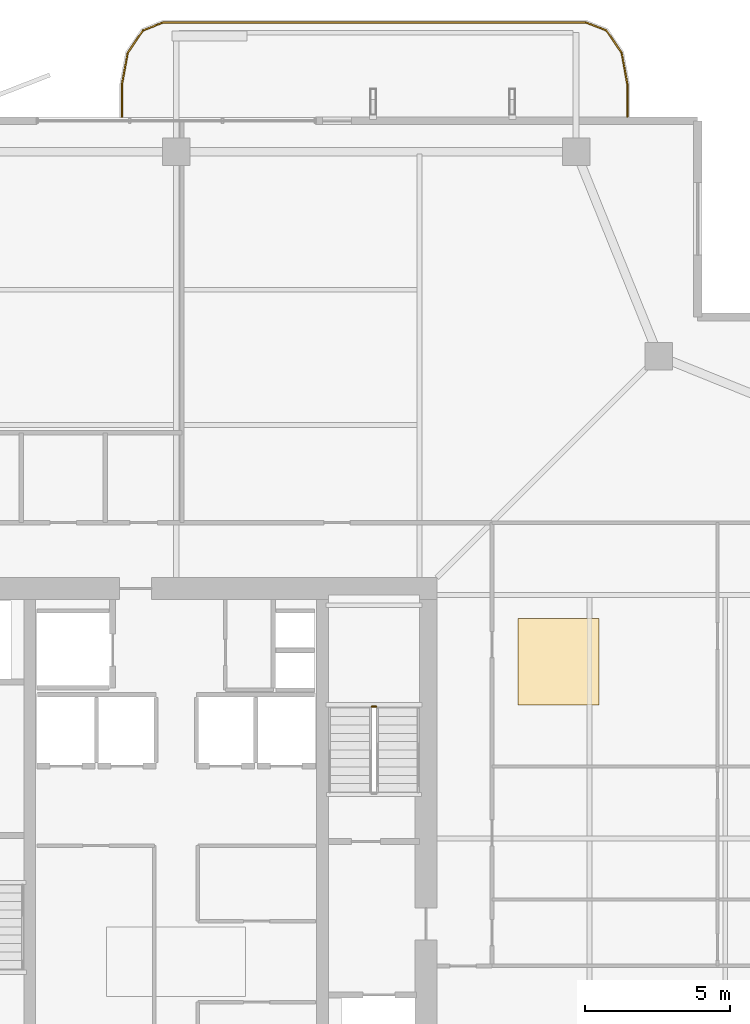
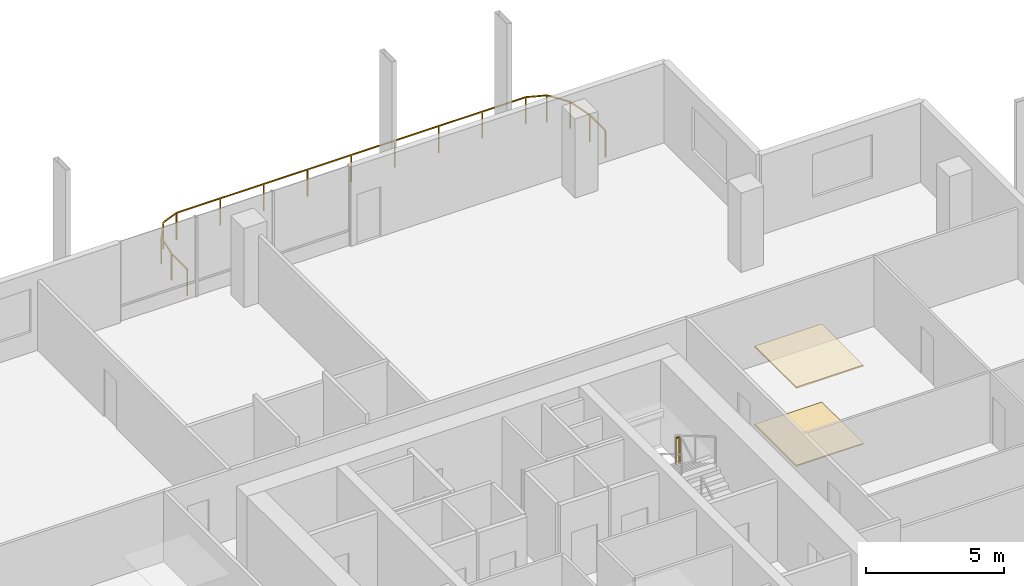
# One storey, part 25 of 25: 2 coverings, 2 railings.
"""IFC4 building model written with IfcOpenShell, lengths in metres."""

from ifc_helpers import new_model, si_unit, direction, frame, origin, origin_2d, place, context, subcontext, project, spatial, polyline, rectangle, outline, extrude, material, layer, layer_set, type_object, element, save


model = new_model("IFC4")

# Units and contexts
model_context = context("Model", 3, precision=1e-05, world=origin(), true_north=direction((0.0, 1.0)))
body_context = subcontext(model_context, "Body", "Model", "MODEL_VIEW")
ifc_project = project(units=[si_unit("LENGTHUNIT", "METRE"), si_unit("AREAUNIT", "SQUARE_METRE"), si_unit("VOLUMEUNIT", "CUBIC_METRE"), si_unit("PLANEANGLEUNIT", "RADIAN"), si_unit("MASSUNIT", "GRAM", prefix="KILO")], contexts=[model_context])

# Site, building, storey
site_placement = place(None, origin())
site = spatial("IfcSite", under=ifc_project, at=site_placement, CompositionType="ELEMENT")
building_placement = place(site_placement, origin())
building = spatial("IfcBuilding", under=site, at=building_placement, Name="Belovzor Exchange Tower", CompositionType="ELEMENT")
storey_placement = place(building_placement, frame((0.0, 0.0, 265.35009765625)))
storey = spatial("IfcBuildingStorey", under=building, at=storey_placement, Name="L66", CompositionType="ELEMENT", Elevation=265.35009765625)

# Railings
ifc_material_1 = material(Name="Stainless Steel and Laminated Safety Glass", Category="steel")
railing_type_1 = type_object("IfcRailingType", Name="Laminated Glass & Stainless Steel Balcony Balustrade 1200", PredefinedType="BALUSTRADE", material=ifc_material_1)
railing_1_placement = place(storey_placement, frame((44.3701171875, 53.7099609375, 0.0)))
element("IfcRailing", 1, at=railing_1_placement, inside=storey, type_object=railing_type_1, Name="GR-1 Balcony Balustrade L66 North", PredefinedType="BALUSTRADE", context=body_context, shape_type="SweptSolid", body=[
    extrude(rectangle(XDim=0.048095703125, YDim=0.048095703125, at=origin_2d()), frame((0.0, 0.0, 1.17578125), z_axis=(0.0, 1.0, 0.0), x_axis=(-1.0, 0.0, 0.0)), (0.0, 0.0, 1.0), 1.133056640625),
    extrude(rectangle(XDim=0.048095703125, YDim=0.048095703125, at=origin_2d()), frame((0.0, 1.133056640625, 1.17578125), z_axis=(-0.180122719713, 0.983644145941, 0.0), x_axis=(-0.983644145941, -0.180122719713, 0.0)), (0.0, 0.0, 1.0), 1.09375),
    extrude(rectangle(XDim=0.048095703125, YDim=0.048095703125, at=origin_2d()), frame((-0.197021484375, 2.208984375, 1.17578125), z_axis=(-0.56294695933, 0.826493025367, 0.0), x_axis=(-0.826493025367, -0.56294695933, 0.0)), (0.0, 0.0, 1.0), 0.932861328125),
    extrude(rectangle(XDim=0.048095703125, YDim=0.048095703125, at=origin_2d()), frame((-0.72216796875, 2.97998046875, 1.17578125), z_axis=(-0.930766990125, 0.365612923861, 0.0), x_axis=(-0.365612923861, -0.930766990125, 0.0)), (0.0, 0.0, 1.0), 0.765869140625),
    extrude(rectangle(XDim=0.048095703125, YDim=0.048095703125, at=origin_2d()), frame((-1.43505859375, 3.260009765625, 1.17578125), z_axis=(-1.0, 0.0, 0.0), x_axis=(0.0, -1.0, 0.0)), (0.0, 0.0, 1.0), 14.570068359375),
    extrude(rectangle(XDim=0.048095703125, YDim=0.048095703125, at=origin_2d()), frame((-16.005126953125, 3.260009765625, 1.17578125), z_axis=(-0.930766990125, -0.365612923861, 0.0), x_axis=(0.365612923861, -0.930766990125, 0.0)), (0.0, 0.0, 1.0), 0.765869140625),
    extrude(rectangle(XDim=0.048095703125, YDim=0.048095703125, at=origin_2d()), frame((-16.718017578125, 2.97998046875, 1.17578125), z_axis=(-0.56294695933, -0.826493025367, 0.0), x_axis=(0.826493025367, -0.56294695933, 0.0)), (0.0, 0.0, 1.0), 0.932861328125),
    extrude(rectangle(XDim=0.048095703125, YDim=0.048095703125, at=origin_2d()), frame((-17.2431640625, 2.208984375, 1.17578125), z_axis=(-0.180122719713, -0.983644145941, 0.0), x_axis=(0.983644145941, -0.180122719713, 0.0)), (0.0, 0.0, 1.0), 1.09375),
    extrude(rectangle(XDim=0.048095703125, YDim=0.048095703125, at=origin_2d()), frame((-17.440185546875, 1.133056640625, 1.17578125), z_axis=(0.0, -1.0, 0.0), x_axis=(1.0, 0.0, 0.0)), (0.0, 0.0, 1.0), 1.133056640625),
    extrude(rectangle(XDim=0.0419921875, YDim=0.0419921875, at=origin_2d()), origin(), (0.0, 0.0, 1.0), 1.15185546875),
    extrude(rectangle(XDim=0.0419921875, YDim=0.0419921875, at=origin_2d()), frame((0.0, 1.133056640625, 0.0)), (0.0, 0.0, 1.0), 1.15185546875),
    extrude(rectangle(XDim=0.0419921875, YDim=0.0419921875, at=origin_2d()), frame((-0.197021484375, 2.208984375, 0.0)), (0.0, 0.0, 1.0), 1.15185546875),
    extrude(rectangle(XDim=0.0419921875, YDim=0.0419921875, at=origin_2d()), frame((-0.72216796875, 2.97998046875, 0.0)), (0.0, 0.0, 1.0), 1.15185546875),
    extrude(rectangle(XDim=0.0419921875, YDim=0.0419921875, at=origin_2d()), frame((-1.43505859375, 3.260009765625, 0.0)), (0.0, 0.0, 1.0), 1.15185546875),
    extrude(rectangle(XDim=0.0419921875, YDim=0.0419921875, at=origin_2d()), frame((-3.25634765625, 3.260009765625, 0.0)), (0.0, 0.0, 1.0), 1.15185546875),
    extrude(rectangle(XDim=0.0419921875, YDim=0.0419921875, at=origin_2d()), frame((-5.07763671875, 3.260009765625, 0.0)), (0.0, 0.0, 1.0), 1.15185546875),
    extrude(rectangle(XDim=0.0419921875, YDim=0.0419921875, at=origin_2d()), frame((-6.89892578125, 3.260009765625, 0.0)), (0.0, 0.0, 1.0), 1.15185546875),
    extrude(rectangle(XDim=0.0419921875, YDim=0.0419921875, at=origin_2d()), frame((-8.72021484375, 3.260009765625, 0.0)), (0.0, 0.0, 1.0), 1.15185546875),
    extrude(rectangle(XDim=0.0419921875, YDim=0.0419921875, at=origin_2d()), frame((-10.541259765625, 3.260009765625, 0.0)), (0.0, 0.0, 1.0), 1.15185546875),
    extrude(rectangle(XDim=0.0419921875, YDim=0.0419921875, at=origin_2d()), frame((-12.362548828125, 3.260009765625, 0.0)), (0.0, 0.0, 1.0), 1.15185546875),
    extrude(rectangle(XDim=0.0419921875, YDim=0.0419921875, at=origin_2d()), frame((-14.183837890625, 3.260009765625, 0.0)), (0.0, 0.0, 1.0), 1.15185546875),
    extrude(rectangle(XDim=0.0419921875, YDim=0.0419921875, at=origin_2d()), frame((-16.005126953125, 3.260009765625, 0.0)), (0.0, 0.0, 1.0), 1.15185546875),
    extrude(rectangle(XDim=0.0419921875, YDim=0.0419921875, at=origin_2d()), frame((-16.718017578125, 2.97998046875, 0.0)), (0.0, 0.0, 1.0), 1.15185546875),
    extrude(rectangle(XDim=0.0419921875, YDim=0.0419921875, at=origin_2d()), frame((-17.2431640625, 2.208984375, 0.0)), (0.0, 0.0, 1.0), 1.15185546875),
    extrude(rectangle(XDim=0.0419921875, YDim=0.0419921875, at=origin_2d()), frame((-17.440185546875, 1.133056640625, 0.0)), (0.0, 0.0, 1.0), 1.15185546875),
    extrude(rectangle(XDim=0.0419921875, YDim=0.0419921875, at=origin_2d()), frame((-17.440185546875, 0.0, 0.0)), (0.0, 0.0, 1.0), 1.15185546875),
])
ifc_material_2 = material(Name="Steel S355", Category="steel")
railing_type_2 = type_object("IfcRailingType", Name="Painted Steel Stairwell Guardrail 1200", PredefinedType="GUARDRAIL", material=ifc_material_2)
railing_2_placement = place(storey_placement, frame((35.699951171875, 33.35009765625, 1.875)))
element("IfcRailing", 2, at=railing_2_placement, inside=storey, type_object=railing_type_2, Name="L66 ST-2 stair guard 2", PredefinedType="GUARDRAIL", context=body_context, shape_type="SweptSolid", body=[
    extrude(rectangle(XDim=0.048095703125, YDim=0.048095703125, at=origin_2d()), frame((0.0, 0.0, 1.17578125), z_axis=(-1.0, 0.0, 0.0), x_axis=(0.0, -1.0, 0.0)), (0.0, 0.0, 1.0), 0.14990234375),
    extrude(rectangle(XDim=0.0419921875, YDim=0.0419921875, at=origin_2d()), origin(), (0.0, 0.0, 1.0), 1.15185546875),
    extrude(rectangle(XDim=0.0419921875, YDim=0.0419921875, at=origin_2d()), frame((-0.14990234375, 0.0, 0.0)), (0.0, 0.0, 1.0), 1.15185546875),
])

# Coverings
ifc_material_3 = material(Name="Perforated Powder-Coated Aluminium", Category="aluminium")
ifc_layer_1 = layer(ifc_material_3, 0.06005859375)
ifc_layer_set_1 = layer_set([ifc_layer_1], Name="Perforated Powder-Coated Aluminium")
covering_type_1 = type_object("IfcCoveringType", Name="Perforated Acoustic Metal Tile Suspended Ceiling 60", PredefinedType="CEILING", material=ifc_layer_set_1)
covering_1_placement = place(storey_placement, frame((0.0, 0.0, 3.43994140625)))
element("IfcCovering", 3, at=covering_1_placement, inside=storey, type_object=covering_type_1, Name="CLG-AC60 Suspended Ceiling CLG-L66-Z2", PredefinedType="CEILING", context=body_context, shape_type="SweptSolid", body=[
    extrude(outline(polyline([(40.60009765625, 33.39990234375), (43.39990234375, 33.39990234375), (43.39990234375, 36.39990234375), (40.60009765625, 36.39990234375), (40.60009765625, 33.39990234375)])), origin(), (0.0, 0.0, 1.0), 0.06005859375),
])
ifc_material_4 = material(Name="Polished Natural Granite Tile", Category="masonry")
ifc_layer_2 = layer(ifc_material_4, 0.050048828125)
ifc_layer_set_2 = layer_set([ifc_layer_2], Name="Polished Natural Granite Tile")
covering_type_2 = type_object("IfcCoveringType", Name="Polished Karelian Granite & Raised Access Floor Finish 50", PredefinedType="FLOORING", material=ifc_layer_set_2)
covering_2_placement = place(storey_placement, origin())
element("IfcCovering", 4, at=covering_2_placement, inside=storey, type_object=covering_type_2, Name="FLR-GR50 Floor Finish FLR-L66-Z2", PredefinedType="FLOORING", context=body_context, shape_type="SweptSolid", body=[
    extrude(outline(polyline([(40.60009765625, 33.39990234375), (43.39990234375, 33.39990234375), (43.39990234375, 36.39990234375), (40.60009765625, 36.39990234375), (40.60009765625, 33.39990234375)])), origin(), (0.0, 0.0, 1.0), 0.0498046875),
])

save(model, "model.ifc")
